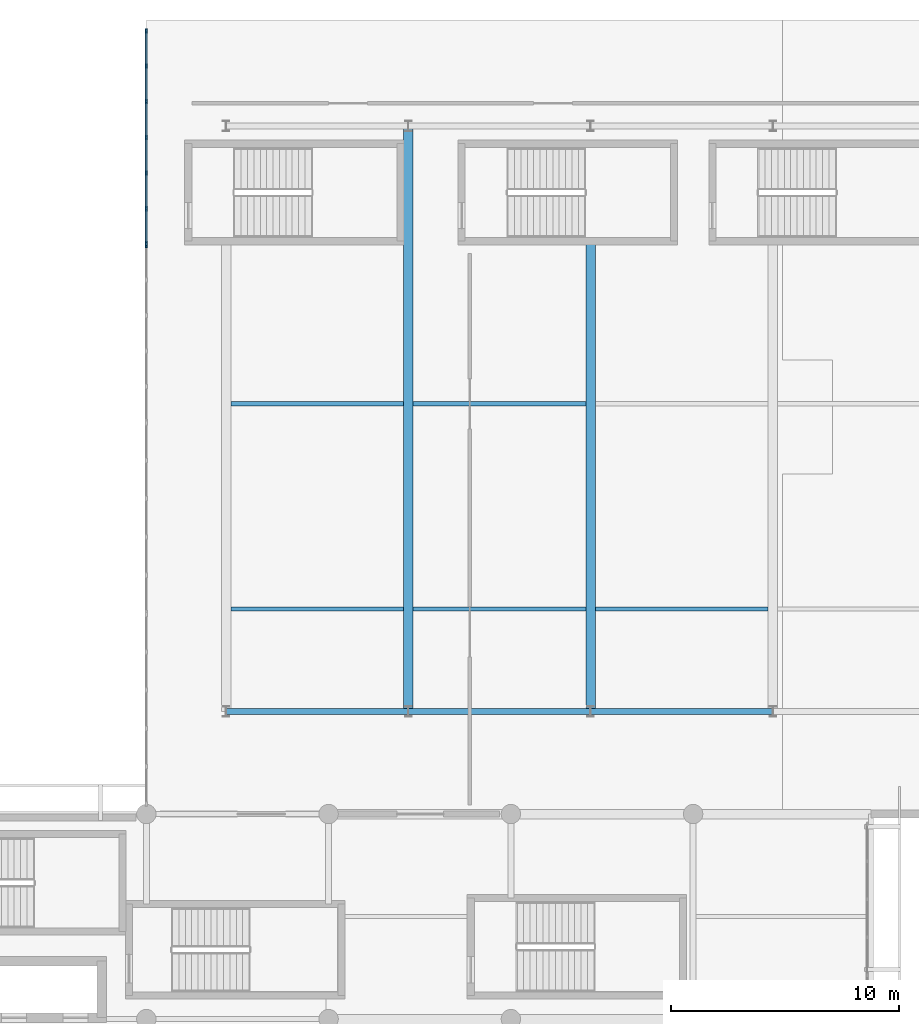
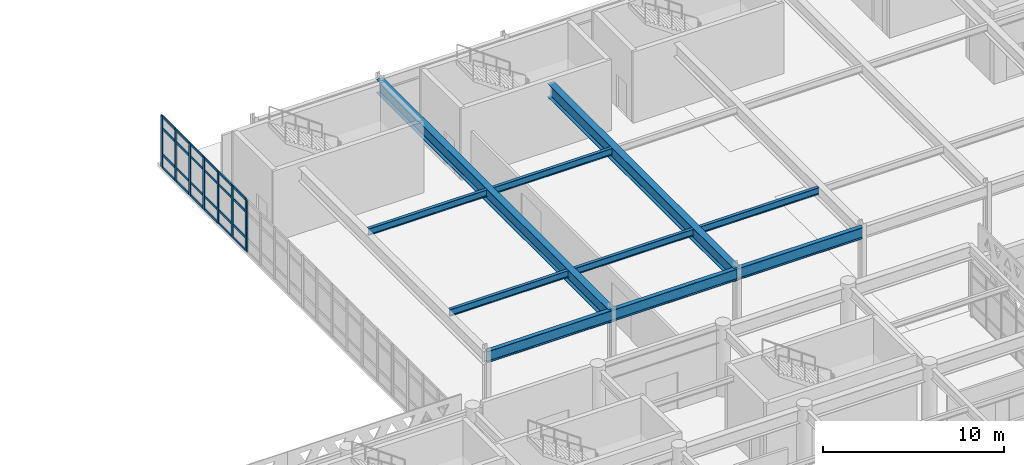
# One storey, part 21 of 54: 32 members, 10 beams, 2 elements without a shape of their own.
"""IFC4 building model written with IfcOpenShell, lengths in metres."""

from ifc_helpers import new_model, si_unit, direction, frame, origin, origin_2d, place, context, subcontext, project, spatial, rectangle, i_section, extrude, material, layer, layer_set, material_profile, profile_set, type_object, element, aggregate, save


model = new_model("IFC4")

# Units and contexts
model_context = context("Model", 3, precision=1e-05, world=origin(), true_north=direction((0.0, 1.0)))
body_context = subcontext(model_context, "Body", "Model", "MODEL_VIEW")
ifc_project = project(units=[si_unit("LENGTHUNIT", "METRE"), si_unit("AREAUNIT", "SQUARE_METRE"), si_unit("VOLUMEUNIT", "CUBIC_METRE"), si_unit("PLANEANGLEUNIT", "RADIAN"), si_unit("MASSUNIT", "GRAM", prefix="KILO")], contexts=[model_context])

# Site, building, storey
site_placement = place(None, origin())
site = spatial("IfcSite", under=ifc_project, at=site_placement, CompositionType="ELEMENT")
building_placement = place(site_placement, origin())
building = spatial("IfcBuilding", under=site, at=building_placement, Name="Tlacozan Convention Centre", CompositionType="ELEMENT")
storey_placement = place(building_placement, frame((0.0, 0.0, 11.39990234375)))
storey = spatial("IfcBuildingStorey", under=building, at=storey_placement, Name="L02", CompositionType="ELEMENT", Elevation=11.39990234375)

# Beams
ifc_material_1 = material(Name="Steel ASTM A992 Grade 50", Category="steel")
ifc_material_profile_1 = material_profile(ifc_material_1, i_section(OverallWidth=0.41796875, OverallDepth=0.912109375, WebThickness=0.019287109375, FlangeThickness=0.031982421875, FilletRadius=0.02001953125, at=origin_2d()), Name="IR 914x342.0")
ifc_profile_set_1 = profile_set([ifc_material_profile_1], Name="Steel ASTM A992 Grade 50")
beam_type_1 = type_object("IfcBeamType", Name="Ballroom Span Girder IR 914x342", PredefinedType="BEAM", material=ifc_profile_set_1)
beam_1_placement = place(storey_placement, frame((99.5, 31.5, 4.044189453125), z_axis=(0.0, 1.0, 0.0), x_axis=(-1.0, 0.0, 0.0)))
element("IfcBeam", 1, at=beam_1_placement, inside=storey, type_object=beam_type_1, Name="L02 Ballroom Span Girder IR 914x342 1471", PredefinedType="BEAM", context=body_context, shape_type="SweptSolid", body=[
    extrude(i_section(OverallWidth=0.41796875, OverallDepth=0.912109375, WebThickness=0.019287109375, FlangeThickness=0.031982421875, FilletRadius=0.02001953125, at=origin_2d()), origin(), (0.0, 0.0, 1.0), 25.699951171875),
])
beam_2_placement = place(storey_placement, frame((107.5, 31.5, 4.044189453125), z_axis=(0.0, 1.0, 0.0), x_axis=(-1.0, 0.0, 0.0)))
element("IfcBeam", 2, at=beam_2_placement, inside=storey, type_object=beam_type_1, Name="L02 Ballroom Span Girder IR 914x342 1472", PredefinedType="BEAM", context=body_context, shape_type="SweptSolid", body=[
    extrude(i_section(OverallWidth=0.41796875, OverallDepth=0.912109375, WebThickness=0.019287109375, FlangeThickness=0.031982421875, FilletRadius=0.02001953125, at=origin_2d()), origin(), (0.0, 0.0, 1.0), 20.639892578125),
])

# Curtain wall, member
ifc_material_2 = material(Name="Dark Bronze Anodised Aluminium", Category="aluminium")
ifc_layer = layer(ifc_material_2, 0.199951171875)
ifc_layer_set = layer_set([ifc_layer], Name="Dark Bronze Anodised Aluminium")
curtain_wall_type = type_object("IfcCurtainWallType", Name="Unitised Dining Cloister L02 CW09", PredefinedType="NOTDEFINED", material=ifc_layer_set)
curtain_wall_1_placement = place(storey_placement, origin())
curtain_wall_1 = element("IfcCurtainWall", 3, at=curtain_wall_1_placement, inside=storey, type_object=curtain_wall_type, Name="L02 CW-09 Run 161", PredefinedType="NOTDEFINED")
ifc_material_profile_2 = material_profile(ifc_material_2, rectangle(XDim=0.074951171875, YDim=0.199951171875, at=origin_2d()), Name="ALU 75x200")
ifc_profile_set_2 = profile_set([ifc_material_profile_2], Name="Dark Bronze Anodised Aluminium")
member_type_1 = type_object("IfcMemberType", Name="Curtain Wall Heavy Mullion 75x200", PredefinedType="MULLION", material=ifc_profile_set_2)
member_1_placement = place(storey_placement, frame((88.0, 51.96240234375, 0.0), z_axis=(0.0, 0.0, 1.0), x_axis=(-1.0, 0.0, 0.0)))
member_1 = element("IfcMember", 4, at=member_1_placement, type_object=member_type_1, Name="CW-09 mullion 6", PredefinedType="MULLION", context=body_context, shape_type="SweptSolid", body=[
    extrude(rectangle(XDim=0.074951171875, YDim=0.199951171875, at=origin_2d()), origin(), (0.0, 0.0, 1.0), 3.5),
])
aggregate(curtain_wall_1, [member_1])

# Curtain wall, members
curtain_wall_2_placement = place(storey_placement, origin())
curtain_wall_2 = element("IfcCurtainWall", 5, at=curtain_wall_2_placement, inside=storey, type_object=curtain_wall_type, Name="L02 CW-09 Run 164", PredefinedType="NOTDEFINED")
member_2_placement = place(storey_placement, frame((88.0, 52.03759765625, 0.0), z_axis=(0.0, 0.0, 1.0), x_axis=(-1.0, 0.0, 0.0)))
member_2 = element("IfcMember", 6, at=member_2_placement, type_object=member_type_1, Name="CW-09 mullion 1", PredefinedType="MULLION", context=body_context, shape_type="SweptSolid", body=[
    extrude(rectangle(XDim=0.074951171875, YDim=0.199951171875, at=origin_2d()), origin(), (0.0, 0.0, 1.0), 3.5),
])
member_3_placement = place(storey_placement, frame((88.0, 53.566650390625, 0.0), z_axis=(0.0, 0.0, 1.0), x_axis=(-1.0, 0.0, 0.0)))
member_3 = element("IfcMember", 7, at=member_3_placement, type_object=member_type_1, Name="CW-09 mullion 2", PredefinedType="MULLION", context=body_context, shape_type="SweptSolid", body=[
    extrude(rectangle(XDim=0.074951171875, YDim=0.199951171875, at=origin_2d()), origin(), (0.0, 0.0, 1.0), 3.5),
])
member_4_placement = place(storey_placement, frame((88.0, 55.13330078125, 0.0), z_axis=(0.0, 0.0, 1.0), x_axis=(-1.0, 0.0, 0.0)))
member_4 = element("IfcMember", 8, at=member_4_placement, type_object=member_type_1, Name="CW-09 mullion 3", PredefinedType="MULLION", context=body_context, shape_type="SweptSolid", body=[
    extrude(rectangle(XDim=0.074951171875, YDim=0.199951171875, at=origin_2d()), origin(), (0.0, 0.0, 1.0), 3.5),
])
member_5_placement = place(storey_placement, frame((88.0, 56.699951171875, 0.0), z_axis=(0.0, 0.0, 1.0), x_axis=(-1.0, 0.0, 0.0)))
member_5 = element("IfcMember", 9, at=member_5_placement, type_object=member_type_1, Name="CW-09 mullion 4", PredefinedType="MULLION", context=body_context, shape_type="SweptSolid", body=[
    extrude(rectangle(XDim=0.074951171875, YDim=0.199951171875, at=origin_2d()), origin(), (0.0, 0.0, 1.0), 3.5),
])
member_6_placement = place(storey_placement, frame((88.0, 58.2666015625, 0.0), z_axis=(0.0, 0.0, 1.0), x_axis=(-1.0, 0.0, 0.0)))
member_6 = element("IfcMember", 10, at=member_6_placement, type_object=member_type_1, Name="CW-09 mullion 5", PredefinedType="MULLION", context=body_context, shape_type="SweptSolid", body=[
    extrude(rectangle(XDim=0.074951171875, YDim=0.199951171875, at=origin_2d()), origin(), (0.0, 0.0, 1.0), 3.5),
])
member_7_placement = place(storey_placement, frame((88.0, 59.833251953125, 0.0), z_axis=(0.0, 0.0, 1.0), x_axis=(-1.0, 0.0, 0.0)))
member_7 = element("IfcMember", 11, at=member_7_placement, type_object=member_type_1, Name="CW-09 mullion 6", PredefinedType="MULLION", context=body_context, shape_type="SweptSolid", body=[
    extrude(rectangle(XDim=0.074951171875, YDim=0.199951171875, at=origin_2d()), origin(), (0.0, 0.0, 1.0), 3.5),
])
member_8_placement = place(storey_placement, frame((88.0, 61.362548828125, 0.0), z_axis=(0.0, 0.0, 1.0), x_axis=(-1.0, 0.0, 0.0)))
member_8 = element("IfcMember", 12, at=member_8_placement, type_object=member_type_1, Name="CW-09 mullion 7", PredefinedType="MULLION", context=body_context, shape_type="SweptSolid", body=[
    extrude(rectangle(XDim=0.074951171875, YDim=0.199951171875, at=origin_2d()), origin(), (0.0, 0.0, 1.0), 3.5),
])
ifc_material_profile_3 = material_profile(ifc_material_2, rectangle(XDim=0.074951171875, YDim=0.14990234375, at=origin_2d()), Name="ALU 75x150")
ifc_profile_set_3 = profile_set([ifc_material_profile_3], Name="Dark Bronze Anodised Aluminium")
member_type_2 = type_object("IfcMemberType", Name="Curtain Wall Heavy Transom 75x150", PredefinedType="USERDEFINED", material=ifc_profile_set_3)
member_9_placement = place(storey_placement, frame((88.0, 52.074951171875, 0.03759765625), z_axis=(0.0, 1.0, 0.0), x_axis=(-1.0, 0.0, 0.0)))
member_9 = element("IfcMember", 13, at=member_9_placement, type_object=member_type_2, Name="CW-09 transom 1.1", ObjectType="TRANSOM", PredefinedType="USERDEFINED", context=body_context, shape_type="SweptSolid", body=[
    extrude(rectangle(XDim=0.074951171875, YDim=0.14990234375, at=origin_2d()), origin(), (0.0, 0.0, 1.0), 1.4541015625),
])
member_10_placement = place(storey_placement, frame((88.0, 52.074951171875, 0.900146484375), z_axis=(0.0, 1.0, 0.0), x_axis=(-1.0, 0.0, 0.0)))
member_10 = element("IfcMember", 14, at=member_10_placement, type_object=member_type_2, Name="CW-09 transom 1.2", ObjectType="TRANSOM", PredefinedType="USERDEFINED", context=body_context, shape_type="SweptSolid", body=[
    extrude(rectangle(XDim=0.074951171875, YDim=0.14990234375, at=origin_2d()), origin(), (0.0, 0.0, 1.0), 1.4541015625),
])
member_11_placement = place(storey_placement, frame((88.0, 52.074951171875, 2.650146484375), z_axis=(0.0, 1.0, 0.0), x_axis=(-1.0, 0.0, 0.0)))
member_11 = element("IfcMember", 15, at=member_11_placement, type_object=member_type_2, Name="CW-09 transom 1.3", ObjectType="TRANSOM", PredefinedType="USERDEFINED", context=body_context, shape_type="SweptSolid", body=[
    extrude(rectangle(XDim=0.074951171875, YDim=0.14990234375, at=origin_2d()), origin(), (0.0, 0.0, 1.0), 1.4541015625),
])
member_12_placement = place(storey_placement, frame((88.0, 52.074951171875, 3.462646484375), z_axis=(0.0, 1.0, 0.0), x_axis=(-1.0, 0.0, 0.0)))
member_12 = element("IfcMember", 16, at=member_12_placement, type_object=member_type_2, Name="CW-09 transom 1.4", ObjectType="TRANSOM", PredefinedType="USERDEFINED", context=body_context, shape_type="SweptSolid", body=[
    extrude(rectangle(XDim=0.074951171875, YDim=0.14990234375, at=origin_2d()), origin(), (0.0, 0.0, 1.0), 1.4541015625),
])
member_13_placement = place(storey_placement, frame((88.0, 53.604248046875, 0.03759765625), z_axis=(0.0, 1.0, 0.0), x_axis=(-1.0, 0.0, 0.0)))
member_13 = element("IfcMember", 17, at=member_13_placement, type_object=member_type_2, Name="CW-09 transom 2.1", ObjectType="TRANSOM", PredefinedType="USERDEFINED", context=body_context, shape_type="SweptSolid", body=[
    extrude(rectangle(XDim=0.074951171875, YDim=0.14990234375, at=origin_2d()), origin(), (0.0, 0.0, 1.0), 1.49169921875),
])
member_14_placement = place(storey_placement, frame((88.0, 53.604248046875, 0.900146484375), z_axis=(0.0, 1.0, 0.0), x_axis=(-1.0, 0.0, 0.0)))
member_14 = element("IfcMember", 18, at=member_14_placement, type_object=member_type_2, Name="CW-09 transom 2.2", ObjectType="TRANSOM", PredefinedType="USERDEFINED", context=body_context, shape_type="SweptSolid", body=[
    extrude(rectangle(XDim=0.074951171875, YDim=0.14990234375, at=origin_2d()), origin(), (0.0, 0.0, 1.0), 1.49169921875),
])
member_15_placement = place(storey_placement, frame((88.0, 53.604248046875, 2.650146484375), z_axis=(0.0, 1.0, 0.0), x_axis=(-1.0, 0.0, 0.0)))
member_15 = element("IfcMember", 19, at=member_15_placement, type_object=member_type_2, Name="CW-09 transom 2.3", ObjectType="TRANSOM", PredefinedType="USERDEFINED", context=body_context, shape_type="SweptSolid", body=[
    extrude(rectangle(XDim=0.074951171875, YDim=0.14990234375, at=origin_2d()), origin(), (0.0, 0.0, 1.0), 1.49169921875),
])
member_16_placement = place(storey_placement, frame((88.0, 53.604248046875, 3.462646484375), z_axis=(0.0, 1.0, 0.0), x_axis=(-1.0, 0.0, 0.0)))
member_16 = element("IfcMember", 20, at=member_16_placement, type_object=member_type_2, Name="CW-09 transom 2.4", ObjectType="TRANSOM", PredefinedType="USERDEFINED", context=body_context, shape_type="SweptSolid", body=[
    extrude(rectangle(XDim=0.074951171875, YDim=0.14990234375, at=origin_2d()), origin(), (0.0, 0.0, 1.0), 1.49169921875),
])
member_17_placement = place(storey_placement, frame((88.0, 55.1708984375, 0.03759765625), z_axis=(0.0, 1.0, 0.0), x_axis=(-1.0, 0.0, 0.0)))
member_17 = element("IfcMember", 21, at=member_17_placement, type_object=member_type_2, Name="CW-09 transom 3.1", ObjectType="TRANSOM", PredefinedType="USERDEFINED", context=body_context, shape_type="SweptSolid", body=[
    extrude(rectangle(XDim=0.074951171875, YDim=0.14990234375, at=origin_2d()), origin(), (0.0, 0.0, 1.0), 1.49169921875),
])
member_18_placement = place(storey_placement, frame((88.0, 55.1708984375, 0.900146484375), z_axis=(0.0, 1.0, 0.0), x_axis=(-1.0, 0.0, 0.0)))
member_18 = element("IfcMember", 22, at=member_18_placement, type_object=member_type_2, Name="CW-09 transom 3.2", ObjectType="TRANSOM", PredefinedType="USERDEFINED", context=body_context, shape_type="SweptSolid", body=[
    extrude(rectangle(XDim=0.074951171875, YDim=0.14990234375, at=origin_2d()), origin(), (0.0, 0.0, 1.0), 1.49169921875),
])
member_19_placement = place(storey_placement, frame((88.0, 55.1708984375, 2.650146484375), z_axis=(0.0, 1.0, 0.0), x_axis=(-1.0, 0.0, 0.0)))
member_19 = element("IfcMember", 23, at=member_19_placement, type_object=member_type_2, Name="CW-09 transom 3.3", ObjectType="TRANSOM", PredefinedType="USERDEFINED", context=body_context, shape_type="SweptSolid", body=[
    extrude(rectangle(XDim=0.074951171875, YDim=0.14990234375, at=origin_2d()), origin(), (0.0, 0.0, 1.0), 1.49169921875),
])
member_20_placement = place(storey_placement, frame((88.0, 55.1708984375, 3.462646484375), z_axis=(0.0, 1.0, 0.0), x_axis=(-1.0, 0.0, 0.0)))
member_20 = element("IfcMember", 24, at=member_20_placement, type_object=member_type_2, Name="CW-09 transom 3.4", ObjectType="TRANSOM", PredefinedType="USERDEFINED", context=body_context, shape_type="SweptSolid", body=[
    extrude(rectangle(XDim=0.074951171875, YDim=0.14990234375, at=origin_2d()), origin(), (0.0, 0.0, 1.0), 1.49169921875),
])
member_21_placement = place(storey_placement, frame((88.0, 56.737548828125, 0.03759765625), z_axis=(0.0, 1.0, 0.0), x_axis=(-1.0, 0.0, 0.0)))
member_21 = element("IfcMember", 25, at=member_21_placement, type_object=member_type_2, Name="CW-09 transom 4.1", ObjectType="TRANSOM", PredefinedType="USERDEFINED", context=body_context, shape_type="SweptSolid", body=[
    extrude(rectangle(XDim=0.074951171875, YDim=0.14990234375, at=origin_2d()), origin(), (0.0, 0.0, 1.0), 1.49169921875),
])
member_22_placement = place(storey_placement, frame((88.0, 56.737548828125, 0.900146484375), z_axis=(0.0, 1.0, 0.0), x_axis=(-1.0, 0.0, 0.0)))
member_22 = element("IfcMember", 26, at=member_22_placement, type_object=member_type_2, Name="CW-09 transom 4.2", ObjectType="TRANSOM", PredefinedType="USERDEFINED", context=body_context, shape_type="SweptSolid", body=[
    extrude(rectangle(XDim=0.074951171875, YDim=0.14990234375, at=origin_2d()), origin(), (0.0, 0.0, 1.0), 1.49169921875),
])
member_23_placement = place(storey_placement, frame((88.0, 56.737548828125, 2.650146484375), z_axis=(0.0, 1.0, 0.0), x_axis=(-1.0, 0.0, 0.0)))
member_23 = element("IfcMember", 27, at=member_23_placement, type_object=member_type_2, Name="CW-09 transom 4.3", ObjectType="TRANSOM", PredefinedType="USERDEFINED", context=body_context, shape_type="SweptSolid", body=[
    extrude(rectangle(XDim=0.074951171875, YDim=0.14990234375, at=origin_2d()), origin(), (0.0, 0.0, 1.0), 1.49169921875),
])
member_24_placement = place(storey_placement, frame((88.0, 56.737548828125, 3.462646484375), z_axis=(0.0, 1.0, 0.0), x_axis=(-1.0, 0.0, 0.0)))
member_24 = element("IfcMember", 28, at=member_24_placement, type_object=member_type_2, Name="CW-09 transom 4.4", ObjectType="TRANSOM", PredefinedType="USERDEFINED", context=body_context, shape_type="SweptSolid", body=[
    extrude(rectangle(XDim=0.074951171875, YDim=0.14990234375, at=origin_2d()), origin(), (0.0, 0.0, 1.0), 1.49169921875),
])
member_25_placement = place(storey_placement, frame((88.0, 58.30419921875, 0.03759765625), z_axis=(0.0, 1.0, 0.0), x_axis=(-1.0, 0.0, 0.0)))
member_25 = element("IfcMember", 29, at=member_25_placement, type_object=member_type_2, Name="CW-09 transom 5.1", ObjectType="TRANSOM", PredefinedType="USERDEFINED", context=body_context, shape_type="SweptSolid", body=[
    extrude(rectangle(XDim=0.074951171875, YDim=0.14990234375, at=origin_2d()), origin(), (0.0, 0.0, 1.0), 1.49169921875),
])
member_26_placement = place(storey_placement, frame((88.0, 58.30419921875, 0.900146484375), z_axis=(0.0, 1.0, 0.0), x_axis=(-1.0, 0.0, 0.0)))
member_26 = element("IfcMember", 30, at=member_26_placement, type_object=member_type_2, Name="CW-09 transom 5.2", ObjectType="TRANSOM", PredefinedType="USERDEFINED", context=body_context, shape_type="SweptSolid", body=[
    extrude(rectangle(XDim=0.074951171875, YDim=0.14990234375, at=origin_2d()), origin(), (0.0, 0.0, 1.0), 1.49169921875),
])
member_27_placement = place(storey_placement, frame((88.0, 58.30419921875, 2.650146484375), z_axis=(0.0, 1.0, 0.0), x_axis=(-1.0, 0.0, 0.0)))
member_27 = element("IfcMember", 31, at=member_27_placement, type_object=member_type_2, Name="CW-09 transom 5.3", ObjectType="TRANSOM", PredefinedType="USERDEFINED", context=body_context, shape_type="SweptSolid", body=[
    extrude(rectangle(XDim=0.074951171875, YDim=0.14990234375, at=origin_2d()), origin(), (0.0, 0.0, 1.0), 1.49169921875),
])
member_28_placement = place(storey_placement, frame((88.0, 58.30419921875, 3.462646484375), z_axis=(0.0, 1.0, 0.0), x_axis=(-1.0, 0.0, 0.0)))
member_28 = element("IfcMember", 32, at=member_28_placement, type_object=member_type_2, Name="CW-09 transom 5.4", ObjectType="TRANSOM", PredefinedType="USERDEFINED", context=body_context, shape_type="SweptSolid", body=[
    extrude(rectangle(XDim=0.074951171875, YDim=0.14990234375, at=origin_2d()), origin(), (0.0, 0.0, 1.0), 1.49169921875),
])
member_29_placement = place(storey_placement, frame((88.0, 59.870849609375, 0.03759765625), z_axis=(0.0, 1.0, 0.0), x_axis=(-1.0, 0.0, 0.0)))
member_29 = element("IfcMember", 33, at=member_29_placement, type_object=member_type_2, Name="CW-09 transom 6.1", ObjectType="TRANSOM", PredefinedType="USERDEFINED", context=body_context, shape_type="SweptSolid", body=[
    extrude(rectangle(XDim=0.074951171875, YDim=0.14990234375, at=origin_2d()), origin(), (0.0, 0.0, 1.0), 1.4541015625),
])
member_30_placement = place(storey_placement, frame((88.0, 59.870849609375, 0.900146484375), z_axis=(0.0, 1.0, 0.0), x_axis=(-1.0, 0.0, 0.0)))
member_30 = element("IfcMember", 34, at=member_30_placement, type_object=member_type_2, Name="CW-09 transom 6.2", ObjectType="TRANSOM", PredefinedType="USERDEFINED", context=body_context, shape_type="SweptSolid", body=[
    extrude(rectangle(XDim=0.074951171875, YDim=0.14990234375, at=origin_2d()), origin(), (0.0, 0.0, 1.0), 1.4541015625),
])
member_31_placement = place(storey_placement, frame((88.0, 59.870849609375, 2.650146484375), z_axis=(0.0, 1.0, 0.0), x_axis=(-1.0, 0.0, 0.0)))
member_31 = element("IfcMember", 35, at=member_31_placement, type_object=member_type_2, Name="CW-09 transom 6.3", ObjectType="TRANSOM", PredefinedType="USERDEFINED", context=body_context, shape_type="SweptSolid", body=[
    extrude(rectangle(XDim=0.074951171875, YDim=0.14990234375, at=origin_2d()), origin(), (0.0, 0.0, 1.0), 1.4541015625),
])
member_32_placement = place(storey_placement, frame((88.0, 59.870849609375, 3.462646484375), z_axis=(0.0, 1.0, 0.0), x_axis=(-1.0, 0.0, 0.0)))
member_32 = element("IfcMember", 36, at=member_32_placement, type_object=member_type_2, Name="CW-09 transom 6.4", ObjectType="TRANSOM", PredefinedType="USERDEFINED", context=body_context, shape_type="SweptSolid", body=[
    extrude(rectangle(XDim=0.074951171875, YDim=0.14990234375, at=origin_2d()), origin(), (0.0, 0.0, 1.0), 1.4541015625),
])
aggregate(curtain_wall_2, [member_2, member_3, member_4, member_5, member_6, member_7, member_8, member_9, member_10, member_11, member_12, member_13, member_14, member_15, member_16, member_17, member_18, member_19, member_20, member_21, member_22, member_23, member_24, member_25, member_26, member_27, member_28, member_29, member_30, member_31, member_32])

# Beams
ifc_material_profile_4 = material_profile(ifc_material_1, i_section(OverallWidth=0.26806640625, OverallDepth=0.77001953125, WebThickness=0.015625, FlangeThickness=0.025390625, FilletRadius=0.01708984375, at=origin_2d()), Name="IR 762x196.0")
ifc_profile_set_4 = profile_set([ifc_material_profile_4], Name="Steel ASTM A992 Grade 50")
beam_type_2 = type_object("IfcBeamType", Name="Girder Steel IR 762x196", PredefinedType="BEAM", material=ifc_profile_set_4)
for number, where, z_axis, x_axis, name in (
    (37, (91.5, 31.5, 4.114990234375), (1.0, 0.0, 0.0), (0.0, 1.0, 0.0), "L02 Girder Steel IR 762x196 1477"),
    (38, (99.5, 31.5, 4.114990234375), (1.0, 0.0, 0.0), (0.0, 1.0, 0.0), "L02 Girder Steel IR 762x196 1481"),
    (39, (107.5, 31.5, 4.114990234375), (1.0, 0.0, 0.0), (0.0, 1.0, 0.0), "L02 Girder Steel IR 762x196 1485"),
):
    element("IfcBeam", number, at=place(storey_placement, frame(where, z_axis=z_axis, x_axis=x_axis)), inside=storey, type_object=beam_type_2, Name=name, PredefinedType="BEAM", context=body_context, shape_type="SweptSolid", body=[
        extrude(i_section(OverallWidth=0.26806640625, OverallDepth=0.77001953125, WebThickness=0.015625, FlangeThickness=0.025390625, FilletRadius=0.01708984375, at=origin_2d()), origin(), (0.0, 0.0, 1.0), 8.0),
    ])
ifc_material_profile_5 = material_profile(ifc_material_1, i_section(OverallWidth=0.19189453125, OverallDepth=0.462890625, WebThickness=0.010498046875, FlangeThickness=0.017578125, FilletRadius=0.010986328125, at=origin_2d()), Name="IR 457x89.3")
ifc_profile_set_5 = profile_set([ifc_material_profile_5], Name="Steel ASTM A992 Grade 50")
beam_type_3 = type_object("IfcBeamType", Name="Secondary Joist IR 457x89.3", PredefinedType="JOIST", material=ifc_profile_set_5)
for number, where, z_axis, x_axis, name in (
    (40, (91.70703125, 36.0, 4.2685546875), (1.0, 0.0, 0.0), (0.0, 1.0, 0.0), "L02 Secondary Joist IR 457x89.3 1479"),
    (41, (91.70703125, 45.0, 4.2685546875), (1.0, 0.0, 0.0), (0.0, 1.0, 0.0), "L02 Secondary Joist IR 457x89.3 1480"),
    (42, (99.70703125, 36.0, 4.2685546875), (1.0, 0.0, 0.0), (0.0, 1.0, 0.0), "L02 Secondary Joist IR 457x89.3 1483"),
    (43, (99.70703125, 45.0, 4.2685546875), (1.0, 0.0, 0.0), (0.0, 1.0, 0.0), "L02 Secondary Joist IR 457x89.3 1484"),
    (44, (107.70703125, 36.0, 4.2685546875), (1.0, 0.0, 0.0), (0.0, 1.0, 0.0), "L02 Secondary Joist IR 457x89.3 1487"),
):
    element("IfcBeam", number, at=place(storey_placement, frame(where, z_axis=z_axis, x_axis=x_axis)), inside=storey, type_object=beam_type_3, Name=name, PredefinedType="JOIST", context=body_context, shape_type="SweptSolid", body=[
        extrude(i_section(OverallWidth=0.19189453125, OverallDepth=0.462890625, WebThickness=0.010498046875, FlangeThickness=0.017578125, FilletRadius=0.010986328125, at=origin_2d()), origin(), (0.0, 0.0, 1.0), 7.5859375),
    ])

save(model, "model.ifc")
